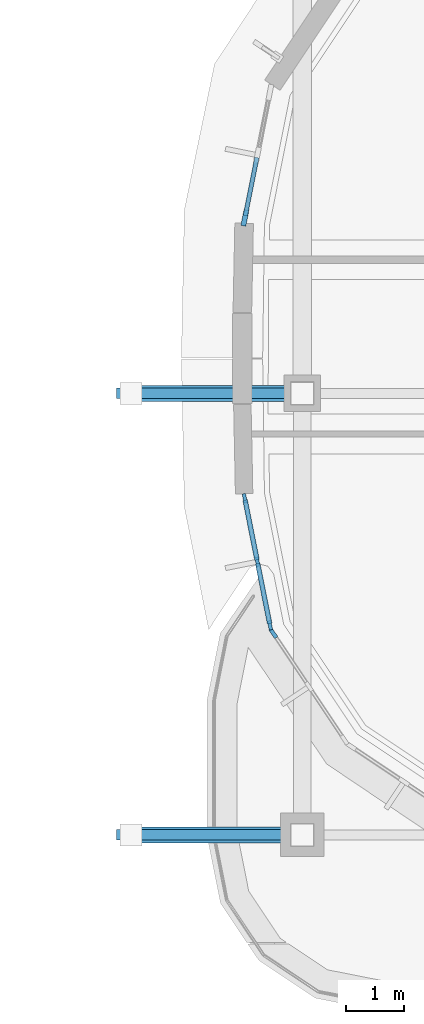
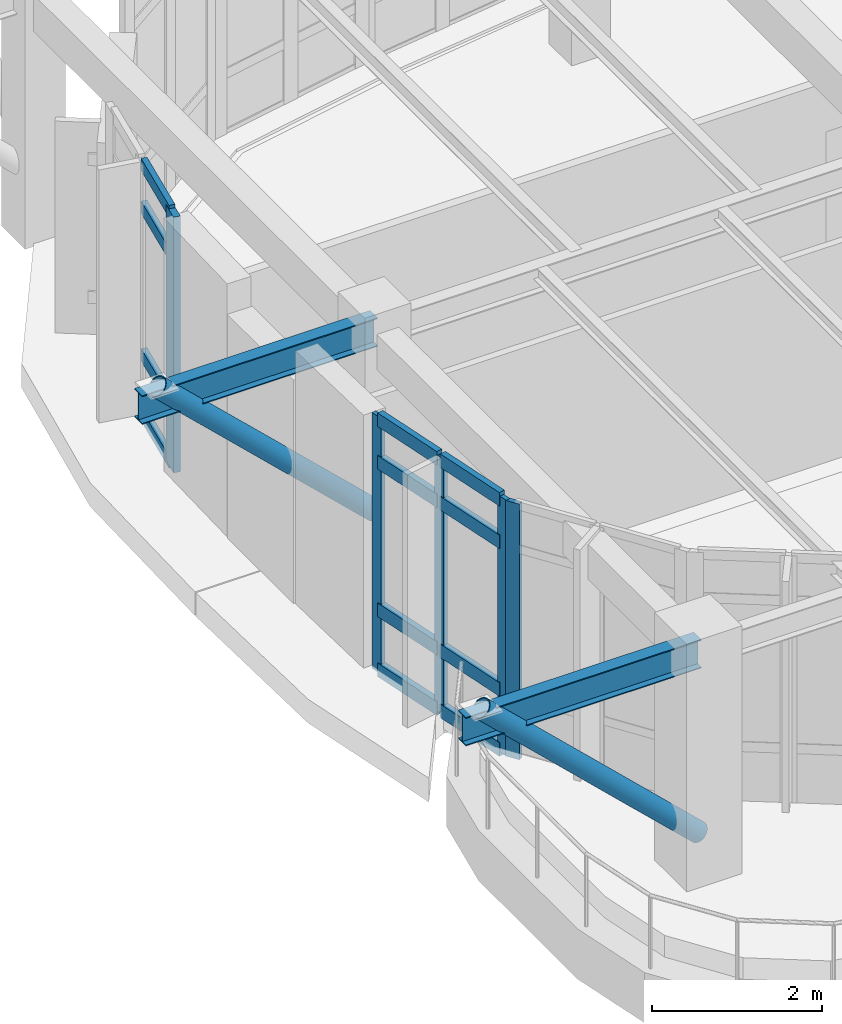
# One storey, part 19 of 105: 19 members, 2 beams, 3 elements without a shape of their own.
"""IFC4 building model written with IfcOpenShell, lengths in metres."""

from ifc_helpers import new_model, si_unit, direction, frame, origin, origin_2d, place, context, subcontext, project, spatial, rectangle, hollow_circle, i_section, extrude, material, material_profile, profile_set, type_object, element, aggregate, save


model = new_model("IFC4")

# Units and contexts
model_context = context("Model", 3, precision=1e-05, world=origin(), true_north=direction((0.0, 1.0)))
body_context = subcontext(model_context, "Body", "Model", "MODEL_VIEW")
ifc_project = project(units=[si_unit("LENGTHUNIT", "METRE"), si_unit("AREAUNIT", "SQUARE_METRE"), si_unit("VOLUMEUNIT", "CUBIC_METRE"), si_unit("PLANEANGLEUNIT", "RADIAN"), si_unit("MASSUNIT", "GRAM", prefix="KILO")], contexts=[model_context])

# Site, building, storey
site_placement = place(None, origin())
site = spatial("IfcSite", under=ifc_project, at=site_placement, CompositionType="ELEMENT")
building_placement = place(site_placement, origin())
building = spatial("IfcBuilding", under=site, at=building_placement, Name="Corveleigh Park Community Centre", CompositionType="ELEMENT")
storey_placement = place(building_placement, frame((0.0, 0.0, 8.699951171875)))
storey = spatial("IfcBuildingStorey", under=building, at=storey_placement, Name="L02", CompositionType="ELEMENT", Elevation=8.699951171875)

# Beams
ifc_material_1 = material(Name="Steel S355", Category="steel")
ifc_material_profile_1 = material_profile(ifc_material_1, i_section(OverallWidth=0.1787109375, OverallDepth=0.409423828125, WebThickness=0.0087890625, FlangeThickness=0.014404296875, at=origin_2d()), Name="UKB 406x178x67", Category="steel")
ifc_profile_set_1 = profile_set([ifc_material_profile_1], Name="Steel S355")
beam_type = type_object("IfcBeamType", Name="BM-STL-UKB406x67", PredefinedType="BEAM", material=ifc_profile_set_1)
for number, where, z_axis, x_axis, name in (
    (1, (71.989990234375, 11.199951171875, 3.459228515625), (-1.0, 0.0, 0.0), (0.0, -1.0, 0.0), "V3 End Pebble Overhang Strut 0-0 Outrigger"),
    (2, (71.989990234375, 18.800048828125, 3.459228515625), (-1.0, 0.0, 0.0), (0.0, -1.0, 0.0), "V3 End Pebble Overhang Strut 0-1 Outrigger"),
):
    element("IfcBeam", number, at=place(storey_placement, frame(where, z_axis=z_axis, x_axis=x_axis)), inside=storey, type_object=beam_type, Name=name, PredefinedType="BEAM", context=body_context, shape_type="SweptSolid", body=[
        extrude(i_section(OverallWidth=0.1787109375, OverallDepth=0.409423828125, WebThickness=0.0087890625, FlangeThickness=0.014404296875, at=origin_2d()), origin(), (0.0, 0.0, 1.0), 3.18994140625),
    ])

# Curtain wall, members
ifc_material_2 = material(Name="Anodised aluminium 6063-T6", Category="aluminium")
curtain_wall_type = type_object("IfcCurtainWallType", Name="CW-SYS-V3-UPP", PredefinedType="NOTDEFINED", material=ifc_material_2)
curtain_wall_1_placement = place(storey_placement, origin())
curtain_wall_1 = element("IfcCurtainWall", 3, at=curtain_wall_1_placement, inside=storey, type_object=curtain_wall_type, Name="V3 L02 Curtain Wall 355", PredefinedType="NOTDEFINED")
ifc_material_profile_2 = material_profile(ifc_material_2, rectangle(XDim=0.06005859375, YDim=0.159912109375, at=origin_2d()), Name="ALU-M60x160", Category="aluminium")
ifc_profile_set_2 = profile_set([ifc_material_profile_2], Name="Anodised aluminium 6063-T6")
member_type_1 = type_object("IfcMemberType", Name="CWM-60x160", PredefinedType="MULLION", material=ifc_profile_set_2)
member_1_placement = place(storey_placement, frame((71.445068359375, 14.807373046875, 0.0), z_axis=(0.0, 0.0, 1.0), x_axis=(-0.980848499041, -0.194772230896, 0.0)))
member_1 = element("IfcMember", 4, at=member_1_placement, type_object=member_type_1, Name="CW06 mullion 1", PredefinedType="MULLION", context=body_context, shape_type="SweptSolid", body=[
    extrude(rectangle(XDim=0.06005859375, YDim=0.159912109375, at=origin_2d()), origin(), (0.0, 0.0, 1.0), 3.6640625),
])
member_2_placement = place(storey_placement, frame((71.22802734375, 15.90087890625, 0.0), z_axis=(0.0, 0.0, 1.0), x_axis=(-0.980848499041, -0.194772230896, 0.0)))
member_2 = element("IfcMember", 5, at=member_2_placement, type_object=member_type_1, Name="CW06 mullion 2", PredefinedType="MULLION", context=body_context, shape_type="SweptSolid", body=[
    extrude(rectangle(XDim=0.06005859375, YDim=0.159912109375, at=origin_2d()), origin(), (0.0, 0.0, 1.0), 3.6640625),
])
member_3_placement = place(storey_placement, frame((71.0107421875, 16.99462890625, 0.0), z_axis=(0.0, 0.0, 1.0), x_axis=(-0.980848499041, -0.194772230896, 0.0)))
member_3 = element("IfcMember", 6, at=member_3_placement, type_object=member_type_1, Name="CW06 mullion 3", PredefinedType="MULLION", context=body_context, shape_type="SweptSolid", body=[
    extrude(rectangle(XDim=0.06005859375, YDim=0.159912109375, at=origin_2d()), origin(), (0.0, 0.0, 1.0), 3.6640625),
])

# Curtain wall, member
curtain_wall_2_placement = place(storey_placement, origin())
curtain_wall_2 = element("IfcCurtainWall", 7, at=curtain_wall_2_placement, inside=storey, type_object=curtain_wall_type, Name="V3 L02 Curtain Wall 356", PredefinedType="NOTDEFINED")
ifc_material_profile_3 = material_profile(ifc_material_2, rectangle(XDim=0.06494140625, YDim=0.179931640625, at=origin_2d()), Name="ALU-M65x180", Category="aluminium")
ifc_profile_set_3 = profile_set([ifc_material_profile_3], Name="Anodised aluminium 6063-T6")
member_type_2 = type_object("IfcMemberType", Name="CWM-65x180", PredefinedType="MULLION", material=ifc_profile_set_3)
member_4_placement = place(storey_placement, frame((71.5029296875, 14.669921875, 0.0), z_axis=(0.0, 0.0, 1.0), x_axis=(-0.831711453149, -0.55520812197, 0.0)))
member_4 = element("IfcMember", 8, at=member_4_placement, type_object=member_type_2, Name="CW06 mullion 3", PredefinedType="MULLION", context=body_context, shape_type="SweptSolid", body=[
    extrude(rectangle(XDim=0.06494140625, YDim=0.179931640625, at=origin_2d()), origin(), (0.0, 0.0, 1.0), 3.6640625),
])
aggregate(curtain_wall_2, [member_4])

# Curtain wall, members
curtain_wall_3_placement = place(storey_placement, origin())
curtain_wall_3 = element("IfcCurtainWall", 9, at=curtain_wall_3_placement, inside=storey, type_object=curtain_wall_type, Name="V3 L02 Curtain Wall 354", PredefinedType="NOTDEFINED")
ifc_material_profile_4 = material_profile(ifc_material_2, rectangle(XDim=0.0849609375, YDim=0.27490234375, at=origin_2d()), Name="ALU-M85x275", Category="aluminium")
ifc_profile_set_4 = profile_set([ifc_material_profile_4], Name="Anodised aluminium 6063-T6")
member_type_3 = type_object("IfcMemberType", Name="CWM-85x275", PredefinedType="MULLION", material=ifc_profile_set_4)
member_5_placement = place(storey_placement, frame((71.01318359375, 21.817626953125, 0.0), z_axis=(0.0, 0.0, 1.0), x_axis=(-0.980848499041, 0.194772230896, 0.0)))
member_5 = element("IfcMember", 10, at=member_5_placement, type_object=member_type_3, Name="CW06 mullion 1", PredefinedType="MULLION", context=body_context, shape_type="SweptSolid", body=[
    extrude(rectangle(XDim=0.0849609375, YDim=0.27490234375, at=origin_2d()), origin(), (0.0, 0.0, 1.0), 3.6640625),
])
ifc_material_profile_5 = material_profile(ifc_material_2, rectangle(XDim=0.074951171875, YDim=0.175048828125, at=origin_2d()), Name="ALU-T75x175", Category="aluminium")
ifc_profile_set_5 = profile_set([ifc_material_profile_5], Name="Anodised aluminium 6063-T6")
member_type_4 = type_object("IfcMemberType", Name="CWT-75x175", PredefinedType="USERDEFINED", material=ifc_profile_set_5)
member_6_placement = place(storey_placement, frame((71.021484375, 21.859375, 0.03759765625), z_axis=(0.194824028395, 0.980838211919, 0.0), x_axis=(-0.980838211919, 0.194824028395, 0.0)))
member_6 = element("IfcMember", 11, at=member_6_placement, type_object=member_type_4, Name="CW06 transom 1.1", ObjectType="TRANSOM", PredefinedType="USERDEFINED", context=body_context, shape_type="SweptSolid", body=[
    extrude(rectangle(XDim=0.074951171875, YDim=0.175048828125, at=origin_2d()), origin(), (0.0, 0.0, 1.0), 1.017578125),
])
member_7_placement = place(storey_placement, frame((71.021484375, 21.859375, 0.900146484375), z_axis=(0.194824028395, 0.980838211919, 0.0), x_axis=(-0.980838211919, 0.194824028395, 0.0)))
member_7 = element("IfcMember", 12, at=member_7_placement, type_object=member_type_4, Name="CW06 transom 1.2", ObjectType="TRANSOM", PredefinedType="USERDEFINED", context=body_context, shape_type="SweptSolid", body=[
    extrude(rectangle(XDim=0.074951171875, YDim=0.175048828125, at=origin_2d()), origin(), (0.0, 0.0, 1.0), 1.017578125),
])
member_8_placement = place(storey_placement, frame((71.021484375, 21.859375, 3.01416015625), z_axis=(0.194824028395, 0.980838211919, 0.0), x_axis=(-0.980838211919, 0.194824028395, 0.0)))
member_8 = element("IfcMember", 13, at=member_8_placement, type_object=member_type_4, Name="CW06 transom 1.3", ObjectType="TRANSOM", PredefinedType="USERDEFINED", context=body_context, shape_type="SweptSolid", body=[
    extrude(rectangle(XDim=0.074951171875, YDim=0.175048828125, at=origin_2d()), origin(), (0.0, 0.0, 1.0), 1.017578125),
])
member_9_placement = place(storey_placement, frame((71.021484375, 21.859375, 3.62646484375), z_axis=(0.194824028395, 0.980838211919, 0.0), x_axis=(-0.980838211919, 0.194824028395, 0.0)))
member_9 = element("IfcMember", 14, at=member_9_placement, type_object=member_type_4, Name="CW06 transom 1.4", ObjectType="TRANSOM", PredefinedType="USERDEFINED", context=body_context, shape_type="SweptSolid", body=[
    extrude(rectangle(XDim=0.074951171875, YDim=0.175048828125, at=origin_2d()), origin(), (0.0, 0.0, 1.0), 1.017578125),
])
aggregate(curtain_wall_3, [member_5, member_6, member_7, member_8, member_9])

# Member
ifc_material_profile_6 = material_profile(ifc_material_2, rectangle(XDim=0.080078125, YDim=0.195068359375, at=origin_2d()), Name="ALU-T80x195", Category="aluminium")
ifc_profile_set_6 = profile_set([ifc_material_profile_6], Name="Anodised aluminium 6063-T6")
member_type_5 = type_object("IfcMemberType", Name="CWT-80x195", PredefinedType="USERDEFINED", material=ifc_profile_set_6)
member_10_placement = place(storey_placement, frame((71.439208984375, 14.8369140625, 0.0400390625), z_axis=(-0.194647115437, 0.98087333558, 0.0), x_axis=(-0.98087333558, -0.194647115437, 0.0)))
member_10 = element("IfcMember", 15, at=member_10_placement, type_object=member_type_5, Name="CW06 transom 1.1", ObjectType="TRANSOM", PredefinedType="USERDEFINED", context=body_context, shape_type="SweptSolid", body=[
    extrude(rectangle(XDim=0.080078125, YDim=0.195068359375, at=origin_2d()), origin(), (0.0, 0.0, 1.0), 1.054931640625),
])

member_11_placement = place(storey_placement, frame((71.439208984375, 14.8369140625, 0.900146484375), z_axis=(-0.194647115437, 0.98087333558, 0.0), x_axis=(-0.98087333558, -0.194647115437, 0.0)))
member_11 = element("IfcMember", 16, at=member_11_placement, type_object=member_type_5, Name="CW06 transom 1.2", ObjectType="TRANSOM", PredefinedType="USERDEFINED", context=body_context, shape_type="SweptSolid", body=[
    extrude(rectangle(XDim=0.080078125, YDim=0.195068359375, at=origin_2d()), origin(), (0.0, 0.0, 1.0), 1.054931640625),
])

member_12_placement = place(storey_placement, frame((71.439208984375, 14.8369140625, 3.01416015625), z_axis=(-0.194647115437, 0.98087333558, 0.0), x_axis=(-0.98087333558, -0.194647115437, 0.0)))
member_12 = element("IfcMember", 17, at=member_12_placement, type_object=member_type_5, Name="CW06 transom 1.3", ObjectType="TRANSOM", PredefinedType="USERDEFINED", context=body_context, shape_type="SweptSolid", body=[
    extrude(rectangle(XDim=0.080078125, YDim=0.195068359375, at=origin_2d()), origin(), (0.0, 0.0, 1.0), 1.054931640625),
])

member_13_placement = place(storey_placement, frame((71.439208984375, 14.8369140625, 3.6240234375), z_axis=(-0.194647115437, 0.98087333558, 0.0), x_axis=(-0.98087333558, -0.194647115437, 0.0)))
member_13 = element("IfcMember", 18, at=member_13_placement, type_object=member_type_5, Name="CW06 transom 1.4", ObjectType="TRANSOM", PredefinedType="USERDEFINED", context=body_context, shape_type="SweptSolid", body=[
    extrude(rectangle(XDim=0.080078125, YDim=0.195068359375, at=origin_2d()), origin(), (0.0, 0.0, 1.0), 1.054931640625),
])

member_14_placement = place(storey_placement, frame((71.22216796875, 15.930419921875, 0.0400390625), z_axis=(-0.194869778652, 0.98082912343, 0.0), x_axis=(-0.98082912343, -0.194869778652, 0.0)))
member_14 = element("IfcMember", 19, at=member_14_placement, type_object=member_type_5, Name="CW06 transom 2.1", ObjectType="TRANSOM", PredefinedType="USERDEFINED", context=body_context, shape_type="SweptSolid", body=[
    extrude(rectangle(XDim=0.080078125, YDim=0.195068359375, at=origin_2d()), origin(), (0.0, 0.0, 1.0), 1.054931640625),
])

member_15_placement = place(storey_placement, frame((71.22216796875, 15.930419921875, 0.900146484375), z_axis=(-0.194869778652, 0.98082912343, 0.0), x_axis=(-0.98082912343, -0.194869778652, 0.0)))
member_15 = element("IfcMember", 20, at=member_15_placement, type_object=member_type_5, Name="CW06 transom 2.2", ObjectType="TRANSOM", PredefinedType="USERDEFINED", context=body_context, shape_type="SweptSolid", body=[
    extrude(rectangle(XDim=0.080078125, YDim=0.195068359375, at=origin_2d()), origin(), (0.0, 0.0, 1.0), 1.054931640625),
])

member_16_placement = place(storey_placement, frame((71.22216796875, 15.930419921875, 3.01416015625), z_axis=(-0.194869778652, 0.98082912343, 0.0), x_axis=(-0.98082912343, -0.194869778652, 0.0)))
member_16 = element("IfcMember", 21, at=member_16_placement, type_object=member_type_5, Name="CW06 transom 2.3", ObjectType="TRANSOM", PredefinedType="USERDEFINED", context=body_context, shape_type="SweptSolid", body=[
    extrude(rectangle(XDim=0.080078125, YDim=0.195068359375, at=origin_2d()), origin(), (0.0, 0.0, 1.0), 1.054931640625),
])

member_17_placement = place(storey_placement, frame((71.22216796875, 15.930419921875, 3.6240234375), z_axis=(-0.194869778652, 0.98082912343, 0.0), x_axis=(-0.98082912343, -0.194869778652, 0.0)))
member_17 = element("IfcMember", 22, at=member_17_placement, type_object=member_type_5, Name="CW06 transom 2.4", ObjectType="TRANSOM", PredefinedType="USERDEFINED", context=body_context, shape_type="SweptSolid", body=[
    extrude(rectangle(XDim=0.080078125, YDim=0.195068359375, at=origin_2d()), origin(), (0.0, 0.0, 1.0), 1.054931640625),
])

aggregate(curtain_wall_1, [member_1, member_2, member_3, member_10, member_11, member_12, member_13, member_14, member_15, member_16, member_17])

# Members
ifc_material_profile_7 = material_profile(ifc_material_1, hollow_circle(Radius=0.136474609375, WallThickness=0.012451171875, at=origin_2d()), Name="CHS 273.0x12.5", Category="steel")
ifc_profile_set_7 = profile_set([ifc_material_profile_7], Name="Steel S355")
member_type_6 = type_object("IfcMemberType", Name="MEM-STR-CHS273E", PredefinedType="STRUT", material=ifc_profile_set_7)
for number, where, z_axis, x_axis, name in (
    (23, (72.0, 11.199951171875, 0.85009765625), (-0.72377100522, 0.0, 0.690040239408), (0.0, -1.0, 0.0), "V3 End Pebble Overhang Strut 0-0"),
    (24, (72.0, 18.800048828125, 0.85009765625), (-0.72377100522, 0.0, 0.690040239408), (0.0, -1.0, 0.0), "V3 End Pebble Overhang Strut 0-1"),
):
    element("IfcMember", number, at=place(storey_placement, frame(where, z_axis=z_axis, x_axis=x_axis)), inside=storey, type_object=member_type_6, Name=name, PredefinedType="STRUT", context=body_context, shape_type="SweptSolid", body=[
        extrude(hollow_circle(Radius=0.136474609375, WallThickness=0.012451171875, at=origin_2d()), origin(), (0.0, 0.0, 1.0), 4.067626953125),
    ])

save(model, "model.ifc")
